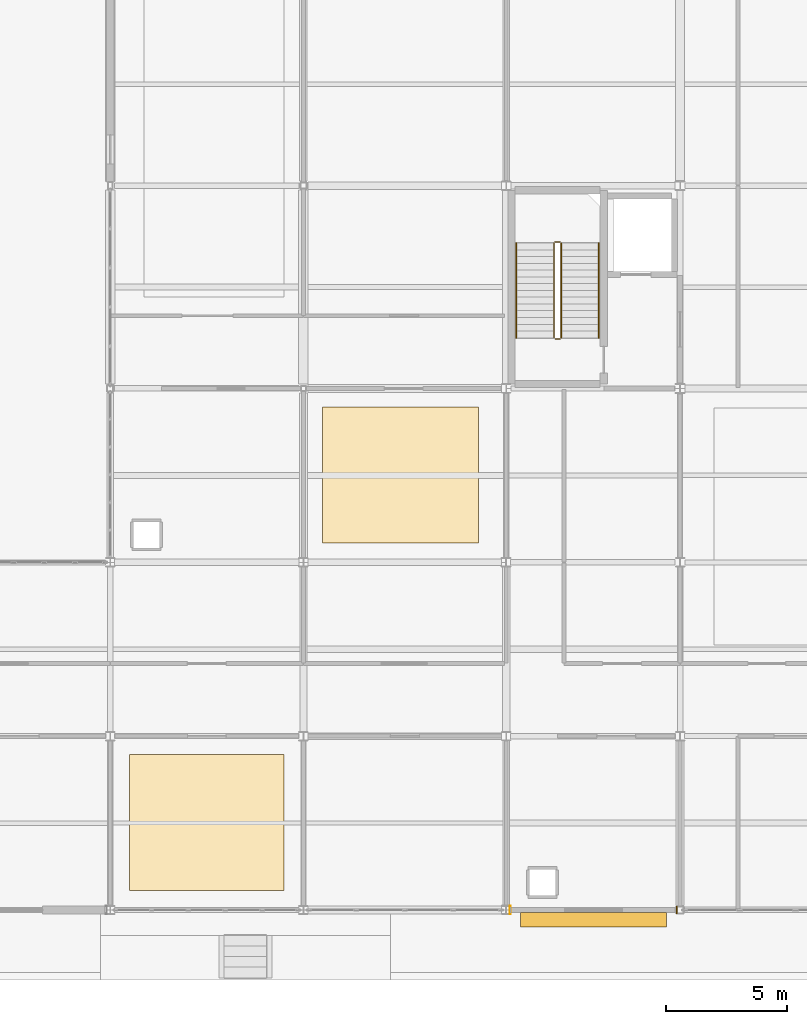
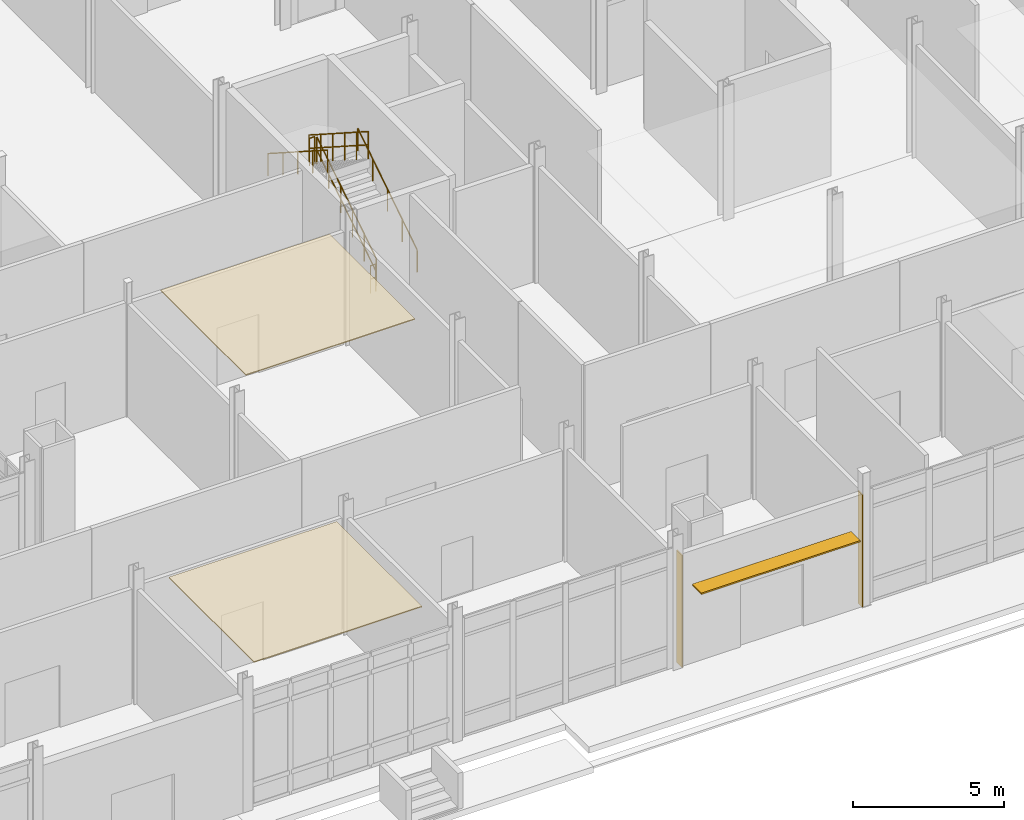
# One storey, part 210 of 229: 6 railings, 4 coverings, 1 shading device.
"""IFC4 building model written with IfcOpenShell, lengths in metres."""

from ifc_helpers import new_model, si_unit, direction, frame, origin, origin_2d, place, context, subcontext, project, spatial, polyline, rectangle, circle, outline, extrude, material, layer, layer_set, type_object, element, save


model = new_model("IFC4")

# Units and contexts
model_context = context("Model", 3, precision=1e-05, world=origin(), true_north=direction((0.0, 1.0)))
body_context = subcontext(model_context, "Body", "Model", "MODEL_VIEW")
ifc_project = project(units=[si_unit("LENGTHUNIT", "METRE"), si_unit("AREAUNIT", "SQUARE_METRE"), si_unit("VOLUMEUNIT", "CUBIC_METRE"), si_unit("PLANEANGLEUNIT", "RADIAN"), si_unit("MASSUNIT", "GRAM", prefix="KILO")], contexts=[model_context])

# Site, building, storey
site_placement = place(None, origin())
site = spatial("IfcSite", under=ifc_project, at=site_placement, CompositionType="ELEMENT")
building_placement = place(site_placement, origin())
building = spatial("IfcBuilding", under=site, at=building_placement, Name="Calvrana Isthmian Art Gallery", CompositionType="ELEMENT")
storey_placement = place(building_placement, origin())
storey = spatial("IfcBuildingStorey", under=building, at=storey_placement, Name="L00", CompositionType="ELEMENT", Elevation=0.0)

# Coverings
ifc_material_1 = material(Name="Acoustic gypsum ceiling", Category="gypsum")
ifc_layer_1 = layer(ifc_material_1, 0.0400390625, Name="Acoustic gypsum ceiling")
ifc_layer_set_1 = layer_set([ifc_layer_1], Name="Acoustic gypsum ceiling")
covering_type_1 = type_object("IfcCoveringType", Name="COV-CEIL-ACOUST", PredefinedType="CEILING", material=ifc_layer_set_1)
covering_1_placement = place(storey_placement, frame((0.0, 0.0, 5.1220703125)))
element("IfcCovering", 1, at=covering_1_placement, inside=storey, type_object=covering_type_1, Name="Gallery acoustic ceiling 05", PredefinedType="CEILING", context=body_context, shape_type="SweptSolid", body=[
    extrude(outline(polyline([(97.199951171875, 0.800048828125), (103.60009765625, 0.800048828125), (103.60009765625, 6.429931640625), (97.199951171875, 6.429931640625), (97.199951171875, 0.800048828125)])), origin(), (0.0, 0.0, 1.0), 0.0400390625),
])
covering_2_placement = place(storey_placement, frame((0.0, 0.0, 5.162109375)))
element("IfcCovering", 2, at=covering_2_placement, inside=storey, type_object=covering_type_1, Name="Gallery acoustic ceiling 06", PredefinedType="CEILING", context=body_context, shape_type="SweptSolid", body=[
    extrude(outline(polyline([(105.199951171875, 15.199951171875), (111.64990234375, 15.199951171875), (111.64990234375, 20.830078125), (105.199951171875, 20.830078125), (105.199951171875, 15.199951171875)])), origin(), (0.0, 0.0, 1.0), 0.039794921875),
])
ifc_material_2 = material(Name="Polychrome glazed terracotta", Category="masonry")
ifc_layer_2 = layer(ifc_material_2, 0.0400390625, Name="Polychrome glazed terracotta")
ifc_layer_set_2 = layer_set([ifc_layer_2], Name="Polychrome glazed terracotta")
covering_type_2 = type_object("IfcCoveringType", Name="COV-CLAD-TERRA", PredefinedType="CLADDING", material=ifc_layer_set_2)
covering_3_placement = place(storey_placement, origin())
element("IfcCovering", 3, at=covering_3_placement, inside=storey, type_object=covering_type_2, Name="Column pocket weather closure L00-14-00-W", PredefinedType="CLADDING", context=body_context, shape_type="SweptSolid", body=[
    extrude(outline(polyline([(112.946533203125, -0.181396484375), (112.986572265625, -0.181396484375), (112.986572265625, 0.181396484375), (112.946533203125, 0.181396484375), (112.946533203125, -0.181396484375)])), origin(), (0.0, 0.0, 1.0), 4.532958984375),
])
covering_4_placement = place(storey_placement, origin())
element("IfcCovering", 4, at=covering_4_placement, inside=storey, type_object=covering_type_2, Name="Column pocket weather closure L00-14-00-E", PredefinedType="CLADDING", context=body_context, shape_type="SweptSolid", body=[
    extrude(outline(polyline([(119.84765625, -0.1474609375), (119.8876953125, -0.1474609375), (119.8876953125, 0.1474609375), (119.84765625, 0.1474609375), (119.84765625, -0.1474609375)])), origin(), (0.0, 0.0, 1.0), 4.532958984375),
])

# Railings
ifc_material_3 = material(Name="Stainless steel 316", Category="steel")
railing_type_1 = type_object("IfcRailingType", Name="RL-GUARD-1120", PredefinedType="BALUSTRADE", material=ifc_material_3)
railing_1_placement = place(storey_placement, frame((115.080078125, 23.699951171875, 0.179931640625)))
element("IfcRailing", 5, at=railing_1_placement, inside=storey, type_object=railing_type_1, Name="Stair ST-3 guard L00-1", PredefinedType="BALUSTRADE", context=body_context, shape_type="SweptSolid", body=[
    extrude(circle(Radius=0.02392578125, at=origin_2d()), frame((0.0, 0.0, 1.09619140625), z_axis=(0.0, 0.841186985886, 0.540744352514), x_axis=(-1.0, 0.0, 0.0)), (0.0, 0.0, 1.0), 4.660400390625),
    extrude(circle(Radius=0.02392578125, at=origin_2d()), frame((0.0, 0.0, 0.56005859375), z_axis=(0.0, 0.841186985886, 0.540744352514), x_axis=(-1.0, 0.0, 0.0)), (0.0, 0.0, 1.0), 4.660400390625),
    extrude(circle(Radius=0.02099609375, at=origin_2d()), origin(), (0.0, 0.0, 1.0), 1.072021484375),
    extrude(circle(Radius=0.02099609375, at=origin_2d()), frame((0.0, 0.783935546875, 0.50390625)), (0.0, 0.0, 1.0), 1.072021484375),
    extrude(circle(Radius=0.02099609375, at=origin_2d()), frame((0.0, 1.568115234375, 1.008056640625)), (0.0, 0.0, 1.0), 1.072021484375),
    extrude(circle(Radius=0.02099609375, at=origin_2d()), frame((0.0, 2.35205078125, 1.511962890625)), (0.0, 0.0, 1.0), 1.072021484375),
    extrude(circle(Radius=0.02099609375, at=origin_2d()), frame((0.0, 3.13623046875, 2.01611328125)), (0.0, 0.0, 1.0), 1.072021484375),
    extrude(circle(Radius=0.02099609375, at=origin_2d()), frame((0.0, 3.920166015625, 2.52001953125)), (0.0, 0.0, 1.0), 1.072021484375),
])
railing_2_placement = place(storey_placement, frame((115.030029296875, 27.669921875, 2.699951171875)))
element("IfcRailing", 6, at=railing_2_placement, inside=storey, type_object=railing_type_1, Name="Stair ST-3 guard L00-2", PredefinedType="BALUSTRADE", context=body_context, shape_type="SweptSolid", body=[
    extrude(circle(Radius=0.02392578125, at=origin_2d()), frame((0.0, 0.0, 1.09619140625), z_axis=(-1.0, 0.0, 0.0), x_axis=(0.0, -1.0, 0.0)), (0.0, 0.0, 1.0), 0.199951171875),
    extrude(circle(Radius=0.02392578125, at=origin_2d()), frame((0.0, 0.0, 0.56005859375), z_axis=(-1.0, 0.0, 0.0), x_axis=(0.0, -1.0, 0.0)), (0.0, 0.0, 1.0), 0.199951171875),
    extrude(circle(Radius=0.02099609375, at=origin_2d()), origin(), (0.0, 0.0, 1.0), 1.072021484375),
    extrude(circle(Radius=0.02099609375, at=origin_2d()), frame((-0.199951171875, 0.0, 0.0)), (0.0, 0.0, 1.0), 1.072021484375),
])
railing_3_placement = place(storey_placement, frame((114.780029296875, 27.6201171875, 2.8798828125)))
element("IfcRailing", 7, at=railing_3_placement, inside=storey, type_object=railing_type_1, Name="Stair ST-3 guard L00-3", PredefinedType="BALUSTRADE", context=body_context, shape_type="SweptSolid", body=[
    extrude(circle(Radius=0.02392578125, at=origin_2d()), frame((0.0, 0.0, 1.09619140625), z_axis=(0.0, -0.841186985886, 0.540744352514), x_axis=(1.0, 0.0, 0.0)), (0.0, 0.0, 1.0), 4.660400390625),
    extrude(circle(Radius=0.02392578125, at=origin_2d()), frame((0.0, 0.0, 0.56005859375), z_axis=(0.0, -0.841186985886, 0.540744352514), x_axis=(1.0, 0.0, 0.0)), (0.0, 0.0, 1.0), 4.660400390625),
    extrude(circle(Radius=0.02099609375, at=origin_2d()), origin(), (0.0, 0.0, 1.0), 1.072021484375),
    extrude(circle(Radius=0.02099609375, at=origin_2d()), frame((0.0, -0.783935546875, 0.50390625)), (0.0, 0.0, 1.0), 1.072021484375),
    extrude(circle(Radius=0.02099609375, at=origin_2d()), frame((0.0, -1.568115234375, 1.008056640625)), (0.0, 0.0, 1.0), 1.072021484375),
    extrude(circle(Radius=0.02099609375, at=origin_2d()), frame((0.0, -2.35205078125, 1.511962890625)), (0.0, 0.0, 1.0), 1.072021484375),
    extrude(circle(Radius=0.02099609375, at=origin_2d()), frame((0.0, -3.13623046875, 2.01611328125)), (0.0, 0.0, 1.0), 1.072021484375),
    extrude(circle(Radius=0.02099609375, at=origin_2d()), frame((0.0, -3.920166015625, 2.52001953125)), (0.0, 0.0, 1.0), 1.072021484375),
])
railing_4_placement = place(storey_placement, frame((115.030029296875, 23.64990234375, 0.0)))
element("IfcRailing", 8, at=railing_4_placement, inside=storey, type_object=railing_type_1, Name="Stair ST-3 guard L00-4", PredefinedType="BALUSTRADE", context=body_context, shape_type="SweptSolid", body=[
    extrude(circle(Radius=0.02392578125, at=origin_2d()), frame((0.0, 0.0, 1.09619140625), z_axis=(-1.0, 0.0, 0.0), x_axis=(0.0, -1.0, 0.0)), (0.0, 0.0, 1.0), 0.199951171875),
    extrude(circle(Radius=0.02392578125, at=origin_2d()), frame((0.0, 0.0, 0.56005859375), z_axis=(-1.0, 0.0, 0.0), x_axis=(0.0, -1.0, 0.0)), (0.0, 0.0, 1.0), 0.199951171875),
    extrude(circle(Radius=0.02099609375, at=origin_2d()), origin(), (0.0, 0.0, 1.0), 1.072021484375),
    extrude(circle(Radius=0.02099609375, at=origin_2d()), frame((-0.199951171875, 0.0, 0.0)), (0.0, 0.0, 1.0), 1.072021484375),
])
railing_type_2 = type_object("IfcRailingType", Name="RL-HAND-920", PredefinedType="HANDRAIL", material=ifc_material_3)
railing_5_placement = place(storey_placement, frame((116.639892578125, 23.699951171875, 0.179931640625)))
element("IfcRailing", 9, at=railing_5_placement, inside=storey, type_object=railing_type_2, Name="Stair ST-3 handrail L00-1", PredefinedType="HANDRAIL", context=body_context, shape_type="SweptSolid", body=[
    extrude(circle(Radius=0.02392578125, at=origin_2d()), frame((0.0, 0.0, 0.89599609375), z_axis=(0.0, 0.841186985886, 0.540744352514), x_axis=(-1.0, 0.0, 0.0)), (0.0, 0.0, 1.0), 4.660400390625),
    extrude(circle(Radius=0.02099609375, at=origin_2d()), origin(), (0.0, 0.0, 1.0), 0.871826171875),
    extrude(circle(Radius=0.02099609375, at=origin_2d()), frame((0.0, 0.97998046875, 0.6298828125)), (0.0, 0.0, 1.0), 0.871826171875),
    extrude(circle(Radius=0.02099609375, at=origin_2d()), frame((0.0, 1.9599609375, 1.260009765625)), (0.0, 0.0, 1.0), 0.871826171875),
    extrude(circle(Radius=0.02099609375, at=origin_2d()), frame((0.0, 2.940185546875, 1.89013671875)), (0.0, 0.0, 1.0), 0.871826171875),
    extrude(circle(Radius=0.02099609375, at=origin_2d()), frame((0.0, 3.920166015625, 2.52001953125)), (0.0, 0.0, 1.0), 0.871826171875),
])
railing_6_placement = place(storey_placement, frame((113.219970703125, 27.6201171875, 2.8798828125)))
element("IfcRailing", 10, at=railing_6_placement, inside=storey, type_object=railing_type_2, Name="Stair ST-3 handrail L00-2", PredefinedType="HANDRAIL", context=body_context, shape_type="SweptSolid", body=[
    extrude(circle(Radius=0.02392578125, at=origin_2d()), frame((0.0, 0.0, 0.89599609375), z_axis=(0.0, -0.841186985886, 0.540744352514), x_axis=(1.0, 0.0, 0.0)), (0.0, 0.0, 1.0), 4.660400390625),
    extrude(circle(Radius=0.02099609375, at=origin_2d()), origin(), (0.0, 0.0, 1.0), 0.871826171875),
    extrude(circle(Radius=0.02099609375, at=origin_2d()), frame((0.0, -0.97998046875, 0.6298828125)), (0.0, 0.0, 1.0), 0.871826171875),
    extrude(circle(Radius=0.02099609375, at=origin_2d()), frame((0.0, -1.9599609375, 1.260009765625)), (0.0, 0.0, 1.0), 0.871826171875),
    extrude(circle(Radius=0.02099609375, at=origin_2d()), frame((0.0, -2.940185546875, 1.89013671875)), (0.0, 0.0, 1.0), 0.871826171875),
    extrude(circle(Radius=0.02099609375, at=origin_2d()), frame((0.0, -3.920166015625, 2.52001953125)), (0.0, 0.0, 1.0), 0.871826171875),
])

# Shading device
ifc_material_4 = material(Name="Anodized bronze aluminium 6063-T6", Category="aluminium")
ifc_layer_3 = layer(ifc_material_4, 0.06005859375, Name="Anodized bronze aluminium 6063-T6")
ifc_layer_set_3 = layer_set([ifc_layer_3], Name="Anodized bronze aluminium 6063-T6")
shading_device_type = type_object("IfcShadingDeviceType", Name="SHD-LOUVRE-600", PredefinedType="JALOUSIE", material=ifc_layer_set_3)
shading_device_placement = place(storey_placement, frame((116.4169921875, -0.407958984375, 3.119873046875), z_axis=(0.0, 0.0, 1.0), x_axis=(-1.0, 0.0, 0.0)))
element("IfcShadingDevice", 11, at=shading_device_placement, inside=storey, type_object=shading_device_type, Name="Anodized bronze horizontal canopy sunshade LV-01", PredefinedType="JALOUSIE", context=body_context, shape_type="SweptSolid", body=[
    extrude(rectangle(XDim=6.06103515625, YDim=0.60009765625, at=origin_2d()), origin(), (0.0, 0.0, 1.0), 0.06005859375),
])

save(model, "model.ifc")
